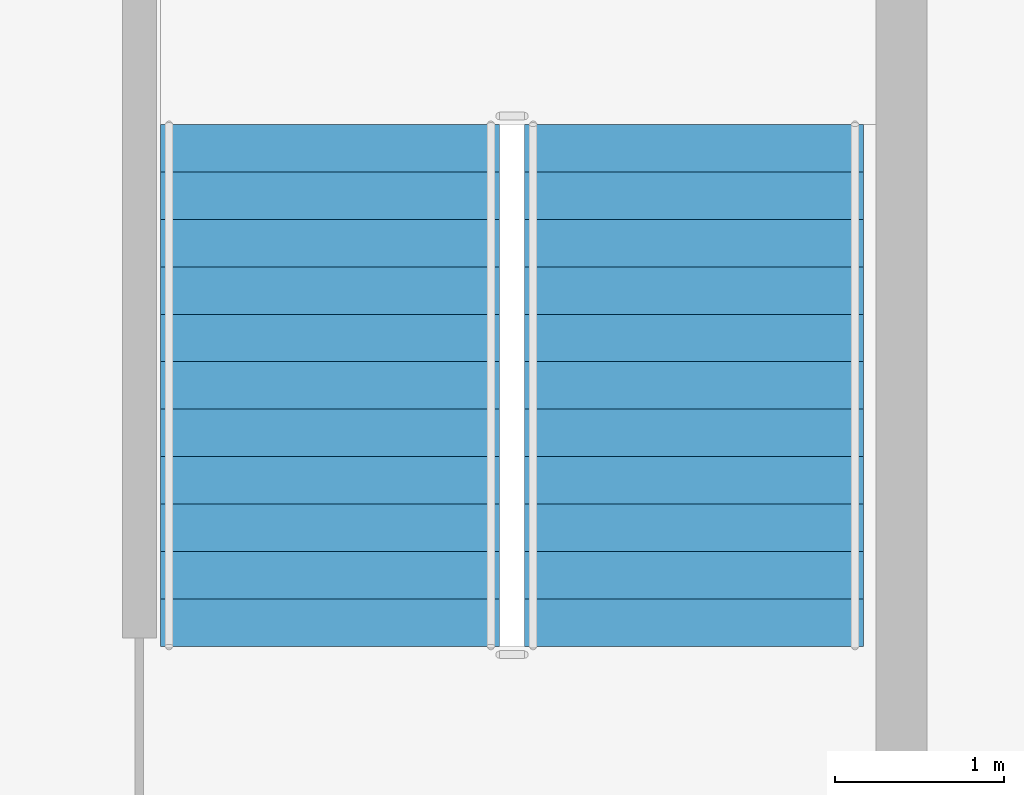
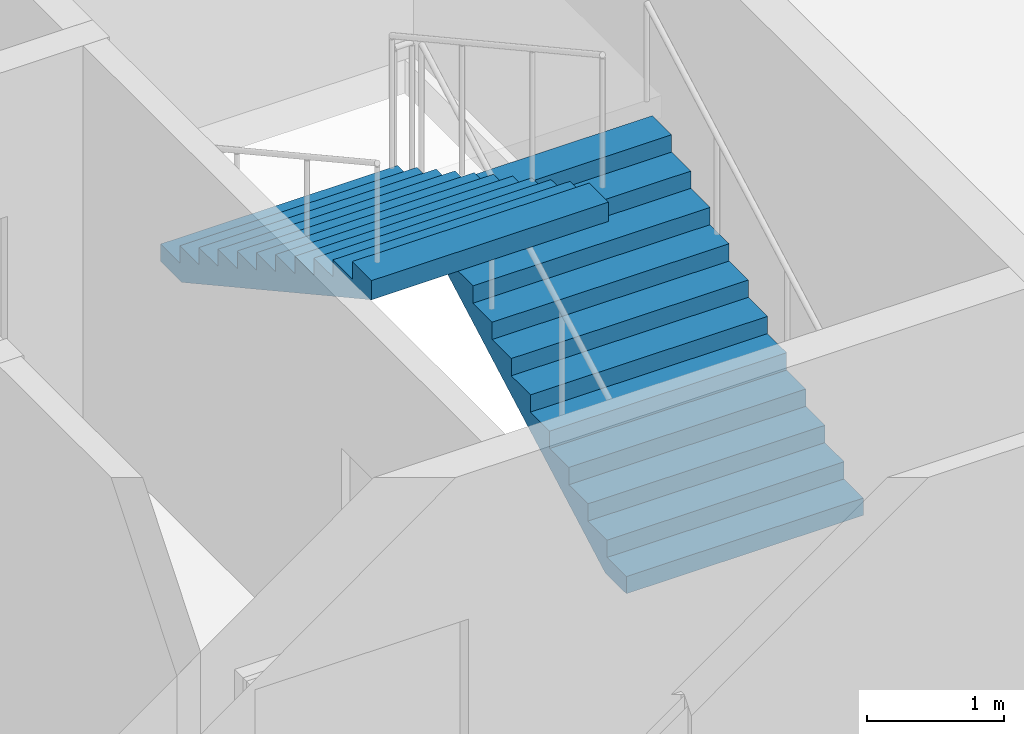
# One storey, part 8 of 11: 2 stair flights, 1 element without a shape of its own.
"""IFC4 building model written with IfcOpenShell, lengths in metres."""

from ifc_helpers import new_model, si_unit, direction, frame, origin, place, context, subcontext, project, spatial, polygons, material, type_object, element, aggregate, save


model = new_model("IFC4")

# Units and contexts
model_context = context("Model", 3, precision=1e-05, world=origin(), true_north=direction((0.0, 1.0)))
body_context = subcontext(model_context, "Body", "Model", "MODEL_VIEW")
ifc_project = project(units=[si_unit("LENGTHUNIT", "METRE"), si_unit("AREAUNIT", "SQUARE_METRE"), si_unit("VOLUMEUNIT", "CUBIC_METRE"), si_unit("PLANEANGLEUNIT", "RADIAN"), si_unit("MASSUNIT", "GRAM", prefix="KILO")], contexts=[model_context])

# Site, building, storey
site_placement = place(None, origin())
site = spatial("IfcSite", under=ifc_project, at=site_placement, CompositionType="ELEMENT")
building_placement = place(site_placement, origin())
building = spatial("IfcBuilding", under=site, at=building_placement, Name="Caravel Reach Hotel and Residences", CompositionType="ELEMENT")
storey_placement = place(building_placement, frame((0.0, 0.0, 256.39990234375)))
storey = spatial("IfcBuildingStorey", under=building, at=storey_placement, Name="L65", CompositionType="ELEMENT", Elevation=256.39990234375)

# Stair, stair flights
ifc_material_1 = material(Name="Concrete C40", Category="concrete")
stair_type = type_object("IfcStairType", Name="Core stair", PredefinedType="HALF_TURN_STAIR", material=ifc_material_1)
stair_placement = place(storey_placement, origin())
stair = element("IfcStair", 1, at=stair_placement, inside=storey, type_object=stair_type, Name="L65 Exit stair B", PredefinedType="HALF_TURN_STAIR")
ifc_material_2 = material(Name="Concrete C40", Category="concrete")
stair_flight_type = type_object("IfcStairFlightType", Name="Core stair flight", PredefinedType="STRAIGHT", material=ifc_material_2)
stair_flight_1_placement = place(storey_placement, frame((43.77490234375, 24.64990234375, 0.0), z_axis=(0.0, 0.0, 1.0), x_axis=(0.0, 1.0, 0.0)))
stair_flight_1 = element("IfcStairFlight", 2, at=stair_flight_1_placement, type_object=stair_flight_type, Name="ST-B flight 1", NumberOfRisers=12, NumberOfTreads=11, PredefinedType="STRAIGHT", RiserHeight=0.154166667, TreadLength=0.28, context=body_context, shape_type="Tessellation", body=[
    polygons([(0.3107950034306102, 1.0, 0.0), (0.3107950034306102, 0.6666666666666667, 0.0), (0.3107950034306102, 0.33333333333333337, 0.0), (0.3107950034306102, 0.0, 0.0), (0.3107950034306102, -0.33333333333333326, 0.0), (0.3107950034306102, -0.6666666666666667, 0.0), (0.3107950034306102, -1.0, 0.0), (3.081, 1.0, 1.524711087717319), (3.081, 0.6666666666666667, 1.524711087717319), (3.081, 0.33333333333333337, 1.524711087717319), (3.081, 0.0, 1.524711087717319), (3.081, -0.33333333333333326, 1.524711087717319), (3.081, -0.6666666666666667, 1.524711087717319), (3.081, -1.0, 1.524711087717319), (3.081, 1.0, 1.695833337), (3.081, 0.6666666666666667, 1.695833337), (3.081, 0.33333333333333337, 1.695833337), (3.081, 0.0, 1.695833337), (3.081, -0.33333333333333326, 1.695833337), (3.081, -0.6666666666666667, 1.695833337), (3.081, -1.0, 1.695833337), (2.8000000000000003, 1.0, 1.695833337), (2.8000000000000003, 0.6666666666666667, 1.695833337), (2.8000000000000003, 0.33333333333333337, 1.695833337), (2.8000000000000003, 0.0, 1.695833337), (2.8000000000000003, -0.33333333333333326, 1.695833337), (2.8000000000000003, -0.6666666666666667, 1.695833337), (2.8000000000000003, -1.0, 1.695833337), (2.8000000000000003, 1.0, 1.5416666700000001), (2.8000000000000003, 0.6666666666666667, 1.5416666700000001), (2.8000000000000003, 0.33333333333333337, 1.5416666700000001), (2.8000000000000003, 0.0, 1.5416666700000001), (2.8000000000000003, -0.33333333333333326, 1.5416666700000001), (2.8000000000000003, -0.6666666666666667, 1.5416666700000001), (2.8000000000000003, -1.0, 1.5416666700000001), (2.5200000000000005, 1.0, 1.5416666700000001), (2.5200000000000005, 0.6666666666666667, 1.5416666700000001), (2.5200000000000005, 0.33333333333333337, 1.5416666700000001), (2.5200000000000005, 0.0, 1.5416666700000001), (2.5200000000000005, -0.33333333333333326, 1.5416666700000001), (2.5200000000000005, -0.6666666666666667, 1.5416666700000001), (2.5200000000000005, -1.0, 1.5416666700000001), (2.5200000000000005, 1.0, 1.387500003), (2.5200000000000005, 0.6666666666666667, 1.387500003), (2.5200000000000005, 0.33333333333333337, 1.387500003), (2.5200000000000005, 0.0, 1.387500003), (2.5200000000000005, -0.33333333333333326, 1.387500003), (2.5200000000000005, -0.6666666666666667, 1.387500003), (2.5200000000000005, -1.0, 1.387500003), (2.24, 1.0, 1.387500003), (2.24, 0.6666666666666667, 1.387500003), (2.24, 0.33333333333333337, 1.387500003), (2.24, 0.0, 1.387500003), (2.24, -0.33333333333333326, 1.387500003), (2.24, -0.6666666666666667, 1.387500003), (2.24, -1.0, 1.387500003), (2.24, 1.0, 1.233333336), (2.24, 0.6666666666666667, 1.233333336), (2.24, 0.33333333333333337, 1.233333336), (2.24, 0.0, 1.233333336), (2.24, -0.33333333333333326, 1.233333336), (2.24, -0.6666666666666667, 1.233333336), (2.24, -1.0, 1.233333336), (1.9600000000000002, 1.0, 1.233333336), (1.9600000000000002, 0.6666666666666667, 1.233333336), (1.9600000000000002, 0.33333333333333337, 1.233333336), (1.9600000000000002, 0.0, 1.233333336), (1.9600000000000002, -0.33333333333333326, 1.233333336), (1.9600000000000002, -0.6666666666666667, 1.233333336), (1.9600000000000002, -1.0, 1.233333336), (1.9600000000000002, 1.0, 1.0791666690000001), (1.9600000000000002, 0.6666666666666667, 1.0791666690000001), (1.9600000000000002, 0.33333333333333337, 1.0791666690000001), (1.9600000000000002, 0.0, 1.0791666690000001), (1.9600000000000002, -0.33333333333333326, 1.0791666690000001), (1.9600000000000002, -0.6666666666666667, 1.0791666690000001), (1.9600000000000002, -1.0, 1.0791666690000001), (1.6800000000000002, 1.0, 1.0791666690000001), (1.6800000000000002, 0.6666666666666667, 1.0791666690000001), (1.6800000000000002, 0.33333333333333337, 1.0791666690000001), (1.6800000000000002, 0.0, 1.0791666690000001), (1.6800000000000002, -0.33333333333333326, 1.0791666690000001), (1.6800000000000002, -0.6666666666666667, 1.0791666690000001), (1.6800000000000002, -1.0, 1.0791666690000001), (1.6800000000000002, 1.0, 0.925000002), (1.6800000000000002, 0.6666666666666667, 0.925000002), (1.6800000000000002, 0.33333333333333337, 0.925000002), (1.6800000000000002, 0.0, 0.925000002), (1.6800000000000002, -0.33333333333333326, 0.925000002), (1.6800000000000002, -0.6666666666666667, 0.925000002), (1.6800000000000002, -1.0, 0.925000002), (1.4000000000000001, 1.0, 0.925000002), (1.4000000000000001, 0.6666666666666667, 0.925000002), (1.4000000000000001, 0.33333333333333337, 0.925000002), (1.4000000000000001, 0.0, 0.925000002), (1.4000000000000001, -0.33333333333333326, 0.925000002), (1.4000000000000001, -0.6666666666666667, 0.925000002), (1.4000000000000001, -1.0, 0.925000002), (1.4000000000000001, 1.0, 0.7708333350000001), (1.4000000000000001, 0.6666666666666667, 0.7708333350000001), (1.4000000000000001, 0.33333333333333337, 0.7708333350000001), (1.4000000000000001, 0.0, 0.7708333350000001), (1.4000000000000001, -0.33333333333333326, 0.7708333350000001), (1.4000000000000001, -0.6666666666666667, 0.7708333350000001), (1.4000000000000001, -1.0, 0.7708333350000001), (1.12, 1.0, 0.7708333350000001), (1.12, 0.6666666666666667, 0.7708333350000001), (1.12, 0.33333333333333337, 0.7708333350000001), (1.12, 0.0, 0.7708333350000001), (1.12, -0.33333333333333326, 0.7708333350000001), (1.12, -0.6666666666666667, 0.7708333350000001), (1.12, -1.0, 0.7708333350000001), (1.12, 1.0, 0.616666668), (1.12, 0.6666666666666667, 0.616666668), (1.12, 0.33333333333333337, 0.616666668), (1.12, 0.0, 0.616666668), (1.12, -0.33333333333333326, 0.616666668), (1.12, -0.6666666666666667, 0.616666668), (1.12, -1.0, 0.616666668), (0.8400000000000001, 1.0, 0.616666668), (0.8400000000000001, 0.6666666666666667, 0.616666668), (0.8400000000000001, 0.33333333333333337, 0.616666668), (0.8400000000000001, 0.0, 0.616666668), (0.8400000000000001, -0.33333333333333326, 0.616666668), (0.8400000000000001, -0.6666666666666667, 0.616666668), (0.8400000000000001, -1.0, 0.616666668), (0.8400000000000001, 1.0, 0.462500001), (0.8400000000000001, 0.6666666666666667, 0.462500001), (0.8400000000000001, 0.33333333333333337, 0.462500001), (0.8400000000000001, 0.0, 0.462500001), (0.8400000000000001, -0.33333333333333326, 0.462500001), (0.8400000000000001, -0.6666666666666667, 0.462500001), (0.8400000000000001, -1.0, 0.462500001), (0.56, 1.0, 0.462500001), (0.56, 0.6666666666666667, 0.462500001), (0.56, 0.33333333333333337, 0.462500001), (0.56, 0.0, 0.462500001), (0.56, -0.33333333333333326, 0.462500001), (0.56, -0.6666666666666667, 0.462500001), (0.56, -1.0, 0.462500001), (0.56, 1.0, 0.308333334), (0.56, 0.6666666666666667, 0.308333334), (0.56, 0.33333333333333337, 0.308333334), (0.56, 0.0, 0.308333334), (0.56, -0.33333333333333326, 0.308333334), (0.56, -0.6666666666666667, 0.308333334), (0.56, -1.0, 0.308333334), (0.28, 1.0, 0.308333334), (0.28, 0.6666666666666667, 0.308333334), (0.28, 0.33333333333333337, 0.308333334), (0.28, 0.0, 0.308333334), (0.28, -0.33333333333333326, 0.308333334), (0.28, -0.6666666666666667, 0.308333334), (0.28, -1.0, 0.308333334), (0.28, 1.0, 0.154166667), (0.28, 0.6666666666666667, 0.154166667), (0.28, 0.33333333333333337, 0.154166667), (0.28, 0.0, 0.154166667), (0.28, -0.33333333333333326, 0.154166667), (0.28, -0.6666666666666667, 0.154166667), (0.28, -1.0, 0.154166667), (-0.001, 1.0, 0.154166667), (-0.001, 0.6666666666666667, 0.154166667), (-0.001, 0.33333333333333337, 0.154166667), (-0.001, 0.0, 0.154166667), (-0.001, -0.33333333333333326, 0.154166667), (-0.001, -0.6666666666666667, 0.154166667), (-0.001, -1.0, 0.154166667), (-0.001, 1.0, 0.0), (-0.001, 0.6666666666666667, 0.0), (-0.001, 0.33333333333333337, 0.0), (-0.001, 0.0, 0.0), (-0.001, -0.33333333333333326, 0.0), (-0.001, -0.6666666666666667, 0.0), (-0.001, -1.0, 0.0)], [[[169, 162, 155, 148, 141, 134, 127, 120, 113, 106, 99, 92, 85, 78, 71, 64, 57, 50, 43, 36, 29, 22, 15, 8, 1]], [[7, 14, 21, 28, 35, 42, 49, 56, 63, 70, 77, 84, 91, 98, 105, 112, 119, 126, 133, 140, 147, 154, 161, 168, 175]], [[1, 8, 9, 2]], [[2, 9, 10, 3]], [[3, 10, 11, 4]], [[4, 11, 12, 5]], [[5, 12, 13, 6]], [[6, 13, 14, 7]], [[8, 15, 16, 9]], [[9, 16, 17, 10]], [[10, 17, 18, 11]], [[11, 18, 19, 12]], [[12, 19, 20, 13]], [[13, 20, 21, 14]], [[15, 22, 23, 16]], [[16, 23, 24, 17]], [[17, 24, 25, 18]], [[18, 25, 26, 19]], [[19, 26, 27, 20]], [[20, 27, 28, 21]], [[22, 29, 30, 23]], [[23, 30, 31, 24]], [[24, 31, 32, 25]], [[25, 32, 33, 26]], [[26, 33, 34, 27]], [[27, 34, 35, 28]], [[29, 36, 37, 30]], [[30, 37, 38, 31]], [[31, 38, 39, 32]], [[32, 39, 40, 33]], [[33, 40, 41, 34]], [[34, 41, 42, 35]], [[36, 43, 44, 37]], [[37, 44, 45, 38]], [[38, 45, 46, 39]], [[39, 46, 47, 40]], [[40, 47, 48, 41]], [[41, 48, 49, 42]], [[43, 50, 51, 44]], [[44, 51, 52, 45]], [[45, 52, 53, 46]], [[46, 53, 54, 47]], [[47, 54, 55, 48]], [[48, 55, 56, 49]], [[50, 57, 58, 51]], [[51, 58, 59, 52]], [[52, 59, 60, 53]], [[53, 60, 61, 54]], [[54, 61, 62, 55]], [[55, 62, 63, 56]], [[57, 64, 65, 58]], [[58, 65, 66, 59]], [[59, 66, 67, 60]], [[60, 67, 68, 61]], [[61, 68, 69, 62]], [[62, 69, 70, 63]], [[64, 71, 72, 65]], [[65, 72, 73, 66]], [[66, 73, 74, 67]], [[67, 74, 75, 68]], [[68, 75, 76, 69]], [[69, 76, 77, 70]], [[71, 78, 79, 72]], [[72, 79, 80, 73]], [[73, 80, 81, 74]], [[74, 81, 82, 75]], [[75, 82, 83, 76]], [[76, 83, 84, 77]], [[78, 85, 86, 79]], [[79, 86, 87, 80]], [[80, 87, 88, 81]], [[81, 88, 89, 82]], [[82, 89, 90, 83]], [[83, 90, 91, 84]], [[85, 92, 93, 86]], [[86, 93, 94, 87]], [[87, 94, 95, 88]], [[88, 95, 96, 89]], [[89, 96, 97, 90]], [[90, 97, 98, 91]], [[92, 99, 100, 93]], [[93, 100, 101, 94]], [[94, 101, 102, 95]], [[95, 102, 103, 96]], [[96, 103, 104, 97]], [[97, 104, 105, 98]], [[99, 106, 107, 100]], [[100, 107, 108, 101]], [[101, 108, 109, 102]], [[102, 109, 110, 103]], [[103, 110, 111, 104]], [[104, 111, 112, 105]], [[106, 113, 114, 107]], [[107, 114, 115, 108]], [[108, 115, 116, 109]], [[109, 116, 117, 110]], [[110, 117, 118, 111]], [[111, 118, 119, 112]], [[113, 120, 121, 114]], [[114, 121, 122, 115]], [[115, 122, 123, 116]], [[116, 123, 124, 117]], [[117, 124, 125, 118]], [[118, 125, 126, 119]], [[120, 127, 128, 121]], [[121, 128, 129, 122]], [[122, 129, 130, 123]], [[123, 130, 131, 124]], [[124, 131, 132, 125]], [[125, 132, 133, 126]], [[127, 134, 135, 128]], [[128, 135, 136, 129]], [[129, 136, 137, 130]], [[130, 137, 138, 131]], [[131, 138, 139, 132]], [[132, 139, 140, 133]], [[134, 141, 142, 135]], [[135, 142, 143, 136]], [[136, 143, 144, 137]], [[137, 144, 145, 138]], [[138, 145, 146, 139]], [[139, 146, 147, 140]], [[141, 148, 149, 142]], [[142, 149, 150, 143]], [[143, 150, 151, 144]], [[144, 151, 152, 145]], [[145, 152, 153, 146]], [[146, 153, 154, 147]], [[148, 155, 156, 149]], [[149, 156, 157, 150]], [[150, 157, 158, 151]], [[151, 158, 159, 152]], [[152, 159, 160, 153]], [[153, 160, 161, 154]], [[155, 162, 163, 156]], [[156, 163, 164, 157]], [[157, 164, 165, 158]], [[158, 165, 166, 159]], [[159, 166, 167, 160]], [[160, 167, 168, 161]], [[162, 169, 170, 163]], [[163, 170, 171, 164]], [[164, 171, 172, 165]], [[165, 172, 173, 166]], [[166, 173, 174, 167]], [[167, 174, 175, 168]], [[169, 1, 2, 170]], [[170, 2, 3, 171]], [[171, 3, 4, 172]], [[172, 4, 5, 173]], [[173, 5, 6, 174]], [[174, 6, 7, 175]]], closed=True),
])
stair_flight_2_placement = place(storey_placement, frame((41.625, 27.72998046875, 1.85009765625), z_axis=(0.0, 0.0, 1.0), x_axis=(0.0, -1.0, 0.0)))
stair_flight_2 = element("IfcStairFlight", 3, at=stair_flight_2_placement, type_object=stair_flight_type, Name="ST-B flight 2", NumberOfRisers=12, NumberOfTreads=11, PredefinedType="STRAIGHT", RiserHeight=0.154166667, TreadLength=0.28, context=body_context, shape_type="Tessellation", body=[
    polygons([(0.3107950034306102, 1.0, 0.0), (0.3107950034306102, 0.6666666666666667, 0.0), (0.3107950034306102, 0.33333333333333337, 0.0), (0.3107950034306102, 0.0, 0.0), (0.3107950034306102, -0.33333333333333326, 0.0), (0.3107950034306102, -0.6666666666666667, 0.0), (0.3107950034306102, -1.0, 0.0), (3.081, 1.0, 1.524711087717319), (3.081, 0.6666666666666667, 1.524711087717319), (3.081, 0.33333333333333337, 1.524711087717319), (3.081, 0.0, 1.524711087717319), (3.081, -0.33333333333333326, 1.524711087717319), (3.081, -0.6666666666666667, 1.524711087717319), (3.081, -1.0, 1.524711087717319), (3.081, 1.0, 1.695833337), (3.081, 0.6666666666666667, 1.695833337), (3.081, 0.33333333333333337, 1.695833337), (3.081, 0.0, 1.695833337), (3.081, -0.33333333333333326, 1.695833337), (3.081, -0.6666666666666667, 1.695833337), (3.081, -1.0, 1.695833337), (2.8000000000000003, 1.0, 1.695833337), (2.8000000000000003, 0.6666666666666667, 1.695833337), (2.8000000000000003, 0.33333333333333337, 1.695833337), (2.8000000000000003, 0.0, 1.695833337), (2.8000000000000003, -0.33333333333333326, 1.695833337), (2.8000000000000003, -0.6666666666666667, 1.695833337), (2.8000000000000003, -1.0, 1.695833337), (2.8000000000000003, 1.0, 1.5416666700000001), (2.8000000000000003, 0.6666666666666667, 1.5416666700000001), (2.8000000000000003, 0.33333333333333337, 1.5416666700000001), (2.8000000000000003, 0.0, 1.5416666700000001), (2.8000000000000003, -0.33333333333333326, 1.5416666700000001), (2.8000000000000003, -0.6666666666666667, 1.5416666700000001), (2.8000000000000003, -1.0, 1.5416666700000001), (2.5200000000000005, 1.0, 1.5416666700000001), (2.5200000000000005, 0.6666666666666667, 1.5416666700000001), (2.5200000000000005, 0.33333333333333337, 1.5416666700000001), (2.5200000000000005, 0.0, 1.5416666700000001), (2.5200000000000005, -0.33333333333333326, 1.5416666700000001), (2.5200000000000005, -0.6666666666666667, 1.5416666700000001), (2.5200000000000005, -1.0, 1.5416666700000001), (2.5200000000000005, 1.0, 1.387500003), (2.5200000000000005, 0.6666666666666667, 1.387500003), (2.5200000000000005, 0.33333333333333337, 1.387500003), (2.5200000000000005, 0.0, 1.387500003), (2.5200000000000005, -0.33333333333333326, 1.387500003), (2.5200000000000005, -0.6666666666666667, 1.387500003), (2.5200000000000005, -1.0, 1.387500003), (2.24, 1.0, 1.387500003), (2.24, 0.6666666666666667, 1.387500003), (2.24, 0.33333333333333337, 1.387500003), (2.24, 0.0, 1.387500003), (2.24, -0.33333333333333326, 1.387500003), (2.24, -0.6666666666666667, 1.387500003), (2.24, -1.0, 1.387500003), (2.24, 1.0, 1.233333336), (2.24, 0.6666666666666667, 1.233333336), (2.24, 0.33333333333333337, 1.233333336), (2.24, 0.0, 1.233333336), (2.24, -0.33333333333333326, 1.233333336), (2.24, -0.6666666666666667, 1.233333336), (2.24, -1.0, 1.233333336), (1.9600000000000002, 1.0, 1.233333336), (1.9600000000000002, 0.6666666666666667, 1.233333336), (1.9600000000000002, 0.33333333333333337, 1.233333336), (1.9600000000000002, 0.0, 1.233333336), (1.9600000000000002, -0.33333333333333326, 1.233333336), (1.9600000000000002, -0.6666666666666667, 1.233333336), (1.9600000000000002, -1.0, 1.233333336), (1.9600000000000002, 1.0, 1.0791666690000001), (1.9600000000000002, 0.6666666666666667, 1.0791666690000001), (1.9600000000000002, 0.33333333333333337, 1.0791666690000001), (1.9600000000000002, 0.0, 1.0791666690000001), (1.9600000000000002, -0.33333333333333326, 1.0791666690000001), (1.9600000000000002, -0.6666666666666667, 1.0791666690000001), (1.9600000000000002, -1.0, 1.0791666690000001), (1.6800000000000002, 1.0, 1.0791666690000001), (1.6800000000000002, 0.6666666666666667, 1.0791666690000001), (1.6800000000000002, 0.33333333333333337, 1.0791666690000001), (1.6800000000000002, 0.0, 1.0791666690000001), (1.6800000000000002, -0.33333333333333326, 1.0791666690000001), (1.6800000000000002, -0.6666666666666667, 1.0791666690000001), (1.6800000000000002, -1.0, 1.0791666690000001), (1.6800000000000002, 1.0, 0.925000002), (1.6800000000000002, 0.6666666666666667, 0.925000002), (1.6800000000000002, 0.33333333333333337, 0.925000002), (1.6800000000000002, 0.0, 0.925000002), (1.6800000000000002, -0.33333333333333326, 0.925000002), (1.6800000000000002, -0.6666666666666667, 0.925000002), (1.6800000000000002, -1.0, 0.925000002), (1.4000000000000001, 1.0, 0.925000002), (1.4000000000000001, 0.6666666666666667, 0.925000002), (1.4000000000000001, 0.33333333333333337, 0.925000002), (1.4000000000000001, 0.0, 0.925000002), (1.4000000000000001, -0.33333333333333326, 0.925000002), (1.4000000000000001, -0.6666666666666667, 0.925000002), (1.4000000000000001, -1.0, 0.925000002), (1.4000000000000001, 1.0, 0.7708333350000001), (1.4000000000000001, 0.6666666666666667, 0.7708333350000001), (1.4000000000000001, 0.33333333333333337, 0.7708333350000001), (1.4000000000000001, 0.0, 0.7708333350000001), (1.4000000000000001, -0.33333333333333326, 0.7708333350000001), (1.4000000000000001, -0.6666666666666667, 0.7708333350000001), (1.4000000000000001, -1.0, 0.7708333350000001), (1.12, 1.0, 0.7708333350000001), (1.12, 0.6666666666666667, 0.7708333350000001), (1.12, 0.33333333333333337, 0.7708333350000001), (1.12, 0.0, 0.7708333350000001), (1.12, -0.33333333333333326, 0.7708333350000001), (1.12, -0.6666666666666667, 0.7708333350000001), (1.12, -1.0, 0.7708333350000001), (1.12, 1.0, 0.616666668), (1.12, 0.6666666666666667, 0.616666668), (1.12, 0.33333333333333337, 0.616666668), (1.12, 0.0, 0.616666668), (1.12, -0.33333333333333326, 0.616666668), (1.12, -0.6666666666666667, 0.616666668), (1.12, -1.0, 0.616666668), (0.8400000000000001, 1.0, 0.616666668), (0.8400000000000001, 0.6666666666666667, 0.616666668), (0.8400000000000001, 0.33333333333333337, 0.616666668), (0.8400000000000001, 0.0, 0.616666668), (0.8400000000000001, -0.33333333333333326, 0.616666668), (0.8400000000000001, -0.6666666666666667, 0.616666668), (0.8400000000000001, -1.0, 0.616666668), (0.8400000000000001, 1.0, 0.462500001), (0.8400000000000001, 0.6666666666666667, 0.462500001), (0.8400000000000001, 0.33333333333333337, 0.462500001), (0.8400000000000001, 0.0, 0.462500001), (0.8400000000000001, -0.33333333333333326, 0.462500001), (0.8400000000000001, -0.6666666666666667, 0.462500001), (0.8400000000000001, -1.0, 0.462500001), (0.56, 1.0, 0.462500001), (0.56, 0.6666666666666667, 0.462500001), (0.56, 0.33333333333333337, 0.462500001), (0.56, 0.0, 0.462500001), (0.56, -0.33333333333333326, 0.462500001), (0.56, -0.6666666666666667, 0.462500001), (0.56, -1.0, 0.462500001), (0.56, 1.0, 0.308333334), (0.56, 0.6666666666666667, 0.308333334), (0.56, 0.33333333333333337, 0.308333334), (0.56, 0.0, 0.308333334), (0.56, -0.33333333333333326, 0.308333334), (0.56, -0.6666666666666667, 0.308333334), (0.56, -1.0, 0.308333334), (0.28, 1.0, 0.308333334), (0.28, 0.6666666666666667, 0.308333334), (0.28, 0.33333333333333337, 0.308333334), (0.28, 0.0, 0.308333334), (0.28, -0.33333333333333326, 0.308333334), (0.28, -0.6666666666666667, 0.308333334), (0.28, -1.0, 0.308333334), (0.28, 1.0, 0.154166667), (0.28, 0.6666666666666667, 0.154166667), (0.28, 0.33333333333333337, 0.154166667), (0.28, 0.0, 0.154166667), (0.28, -0.33333333333333326, 0.154166667), (0.28, -0.6666666666666667, 0.154166667), (0.28, -1.0, 0.154166667), (-0.001, 1.0, 0.154166667), (-0.001, 0.6666666666666667, 0.154166667), (-0.001, 0.33333333333333337, 0.154166667), (-0.001, 0.0, 0.154166667), (-0.001, -0.33333333333333326, 0.154166667), (-0.001, -0.6666666666666667, 0.154166667), (-0.001, -1.0, 0.154166667), (-0.001, 1.0, 0.0), (-0.001, 0.6666666666666667, 0.0), (-0.001, 0.33333333333333337, 0.0), (-0.001, 0.0, 0.0), (-0.001, -0.33333333333333326, 0.0), (-0.001, -0.6666666666666667, 0.0), (-0.001, -1.0, 0.0)], [[[169, 162, 155, 148, 141, 134, 127, 120, 113, 106, 99, 92, 85, 78, 71, 64, 57, 50, 43, 36, 29, 22, 15, 8, 1]], [[7, 14, 21, 28, 35, 42, 49, 56, 63, 70, 77, 84, 91, 98, 105, 112, 119, 126, 133, 140, 147, 154, 161, 168, 175]], [[1, 8, 9, 2]], [[2, 9, 10, 3]], [[3, 10, 11, 4]], [[4, 11, 12, 5]], [[5, 12, 13, 6]], [[6, 13, 14, 7]], [[8, 15, 16, 9]], [[9, 16, 17, 10]], [[10, 17, 18, 11]], [[11, 18, 19, 12]], [[12, 19, 20, 13]], [[13, 20, 21, 14]], [[15, 22, 23, 16]], [[16, 23, 24, 17]], [[17, 24, 25, 18]], [[18, 25, 26, 19]], [[19, 26, 27, 20]], [[20, 27, 28, 21]], [[22, 29, 30, 23]], [[23, 30, 31, 24]], [[24, 31, 32, 25]], [[25, 32, 33, 26]], [[26, 33, 34, 27]], [[27, 34, 35, 28]], [[29, 36, 37, 30]], [[30, 37, 38, 31]], [[31, 38, 39, 32]], [[32, 39, 40, 33]], [[33, 40, 41, 34]], [[34, 41, 42, 35]], [[36, 43, 44, 37]], [[37, 44, 45, 38]], [[38, 45, 46, 39]], [[39, 46, 47, 40]], [[40, 47, 48, 41]], [[41, 48, 49, 42]], [[43, 50, 51, 44]], [[44, 51, 52, 45]], [[45, 52, 53, 46]], [[46, 53, 54, 47]], [[47, 54, 55, 48]], [[48, 55, 56, 49]], [[50, 57, 58, 51]], [[51, 58, 59, 52]], [[52, 59, 60, 53]], [[53, 60, 61, 54]], [[54, 61, 62, 55]], [[55, 62, 63, 56]], [[57, 64, 65, 58]], [[58, 65, 66, 59]], [[59, 66, 67, 60]], [[60, 67, 68, 61]], [[61, 68, 69, 62]], [[62, 69, 70, 63]], [[64, 71, 72, 65]], [[65, 72, 73, 66]], [[66, 73, 74, 67]], [[67, 74, 75, 68]], [[68, 75, 76, 69]], [[69, 76, 77, 70]], [[71, 78, 79, 72]], [[72, 79, 80, 73]], [[73, 80, 81, 74]], [[74, 81, 82, 75]], [[75, 82, 83, 76]], [[76, 83, 84, 77]], [[78, 85, 86, 79]], [[79, 86, 87, 80]], [[80, 87, 88, 81]], [[81, 88, 89, 82]], [[82, 89, 90, 83]], [[83, 90, 91, 84]], [[85, 92, 93, 86]], [[86, 93, 94, 87]], [[87, 94, 95, 88]], [[88, 95, 96, 89]], [[89, 96, 97, 90]], [[90, 97, 98, 91]], [[92, 99, 100, 93]], [[93, 100, 101, 94]], [[94, 101, 102, 95]], [[95, 102, 103, 96]], [[96, 103, 104, 97]], [[97, 104, 105, 98]], [[99, 106, 107, 100]], [[100, 107, 108, 101]], [[101, 108, 109, 102]], [[102, 109, 110, 103]], [[103, 110, 111, 104]], [[104, 111, 112, 105]], [[106, 113, 114, 107]], [[107, 114, 115, 108]], [[108, 115, 116, 109]], [[109, 116, 117, 110]], [[110, 117, 118, 111]], [[111, 118, 119, 112]], [[113, 120, 121, 114]], [[114, 121, 122, 115]], [[115, 122, 123, 116]], [[116, 123, 124, 117]], [[117, 124, 125, 118]], [[118, 125, 126, 119]], [[120, 127, 128, 121]], [[121, 128, 129, 122]], [[122, 129, 130, 123]], [[123, 130, 131, 124]], [[124, 131, 132, 125]], [[125, 132, 133, 126]], [[127, 134, 135, 128]], [[128, 135, 136, 129]], [[129, 136, 137, 130]], [[130, 137, 138, 131]], [[131, 138, 139, 132]], [[132, 139, 140, 133]], [[134, 141, 142, 135]], [[135, 142, 143, 136]], [[136, 143, 144, 137]], [[137, 144, 145, 138]], [[138, 145, 146, 139]], [[139, 146, 147, 140]], [[141, 148, 149, 142]], [[142, 149, 150, 143]], [[143, 150, 151, 144]], [[144, 151, 152, 145]], [[145, 152, 153, 146]], [[146, 153, 154, 147]], [[148, 155, 156, 149]], [[149, 156, 157, 150]], [[150, 157, 158, 151]], [[151, 158, 159, 152]], [[152, 159, 160, 153]], [[153, 160, 161, 154]], [[155, 162, 163, 156]], [[156, 163, 164, 157]], [[157, 164, 165, 158]], [[158, 165, 166, 159]], [[159, 166, 167, 160]], [[160, 167, 168, 161]], [[162, 169, 170, 163]], [[163, 170, 171, 164]], [[164, 171, 172, 165]], [[165, 172, 173, 166]], [[166, 173, 174, 167]], [[167, 174, 175, 168]], [[169, 1, 2, 170]], [[170, 2, 3, 171]], [[171, 3, 4, 172]], [[172, 4, 5, 173]], [[173, 5, 6, 174]], [[174, 6, 7, 175]]], closed=True),
])
aggregate(stair, [stair_flight_1, stair_flight_2])

save(model, "model.ifc")
